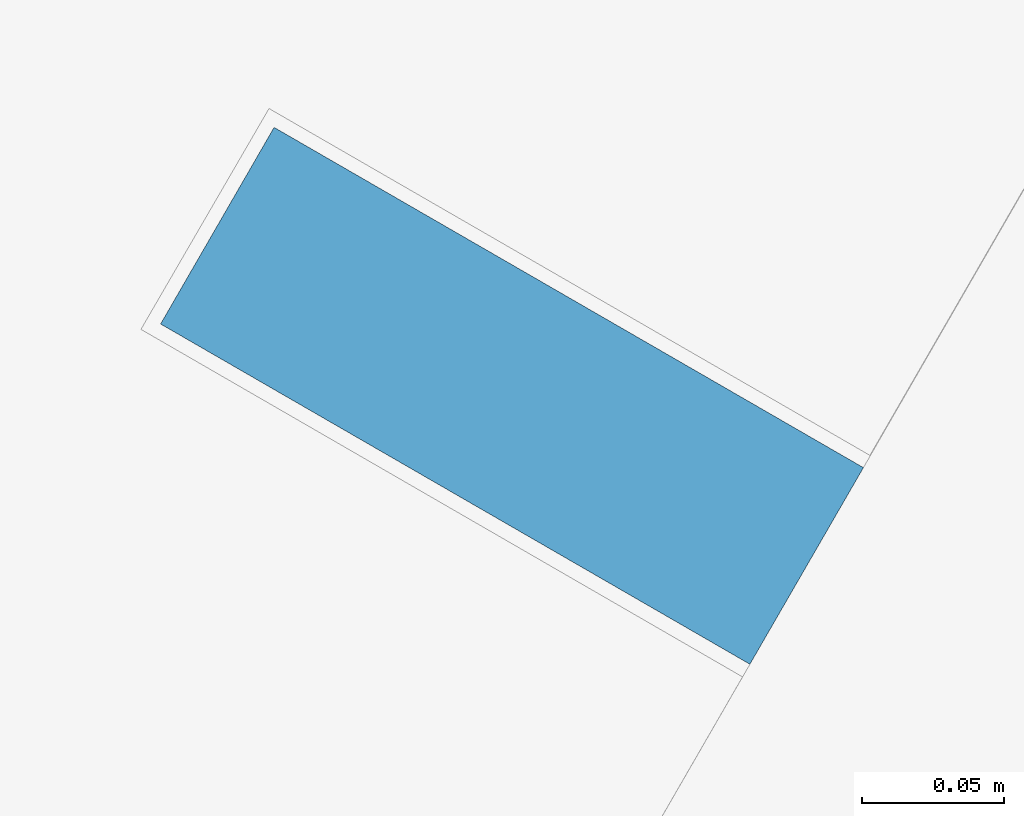
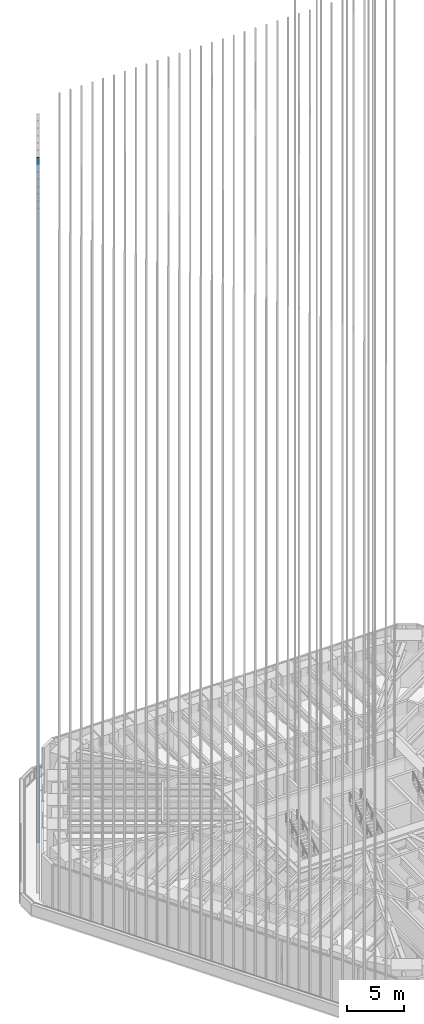
# One storey, part 144 of 228: 1 member, 1 element without a shape of its own.
"""IFC4 building model written with IfcOpenShell, lengths in metres."""

from ifc_helpers import new_model, si_unit, direction, frame, origin, origin_2d, place, context, subcontext, project, spatial, rectangle, extrude, material, material_profile, profile_set, type_object, element, aggregate, save


model = new_model("IFC4")

# Units and contexts
model_context = context("Model", 3, precision=1e-05, world=origin(), true_north=direction((0.0, 1.0)))
body_context = subcontext(model_context, "Body", "Model", "MODEL_VIEW")
ifc_project = project(units=[si_unit("LENGTHUNIT", "METRE"), si_unit("AREAUNIT", "SQUARE_METRE"), si_unit("VOLUMEUNIT", "CUBIC_METRE"), si_unit("PLANEANGLEUNIT", "RADIAN"), si_unit("MASSUNIT", "GRAM", prefix="KILO")], contexts=[model_context])

# Site, building, storey
site_placement = place(None, origin())
site = spatial("IfcSite", under=ifc_project, at=site_placement, CompositionType="ELEMENT")
building_placement = place(site_placement, origin())
building = spatial("IfcBuilding", under=site, at=building_placement, Name="Sandreach Pilgrim Tower", CompositionType="ELEMENT")
storey_placement = place(building_placement, frame((0.0, 0.0, 178.199951171875)))
storey = spatial("IfcBuildingStorey", under=building, at=storey_placement, Name="L44", CompositionType="ELEMENT", Elevation=178.199951171875)

# Curtain wall, member
ifc_material_1 = material(Name="Aluminium framed curtain wall", Category="aluminium")
curtain_wall_type = type_object("IfcCurtainWallType", Name="Upper hotel tower curtain wall", PredefinedType="NOTDEFINED", material=ifc_material_1)
curtain_wall_placement = place(storey_placement, origin())
curtain_wall = element("IfcCurtainWall", 1, at=curtain_wall_placement, inside=storey, type_object=curtain_wall_type, Name="CW-3 L44 NW", PredefinedType="NOTDEFINED")
ifc_material_2 = material(Name="Extruded terracotta on aluminium core", Category="masonry")
ifc_material_profile = material_profile(ifc_material_2, rectangle(XDim=0.080078125, YDim=0.239990234375, at=origin_2d()), Name="TBW 80X240")
ifc_profile_set = profile_set([ifc_material_profile], Name="Extruded terracotta on aluminium core")
member_type = type_object("IfcMemberType", Name="Terracotta baguette west", PredefinedType="USERDEFINED", material=ifc_profile_set)
member_placement = place(storey_placement, frame((-23.05712890625, 13.9541015625, 0.0), z_axis=(0.0, 0.0, 1.0), x_axis=(0.5, 0.866025403784, 0.0)))
member = element("IfcMember", 2, at=member_placement, type_object=member_type, Name="Baguette Z3 NW08", ObjectType="BAGUETTE", PredefinedType="USERDEFINED", context=body_context, shape_type="SweptSolid", body=[
    extrude(rectangle(XDim=0.080078125, YDim=0.239990234375, at=origin_2d()), origin(), (0.0, 0.0, 1.0), 73.239990234375),
])
aggregate(curtain_wall, [member])

save(model, "model.ifc")
